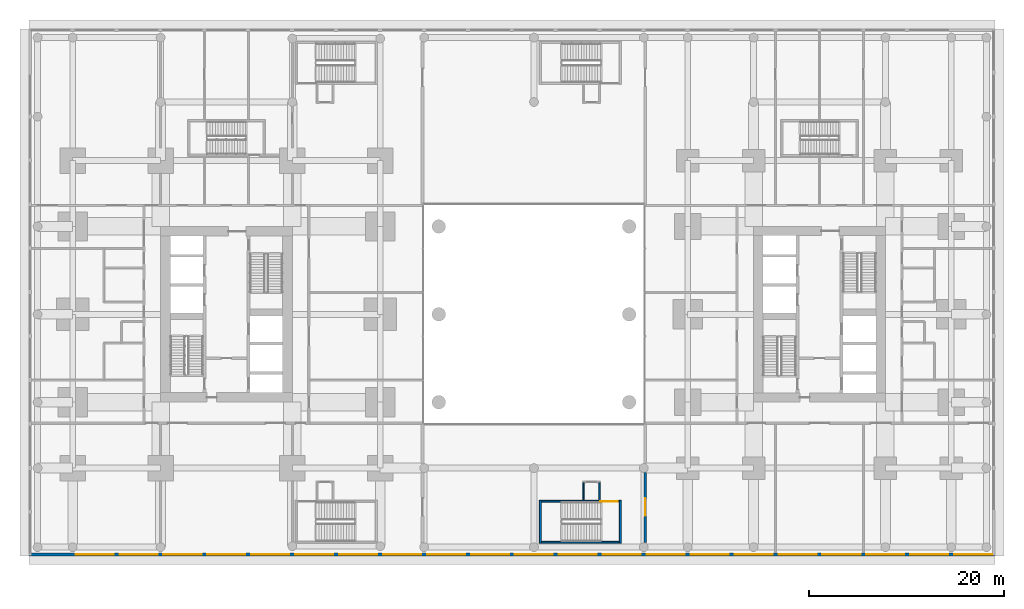
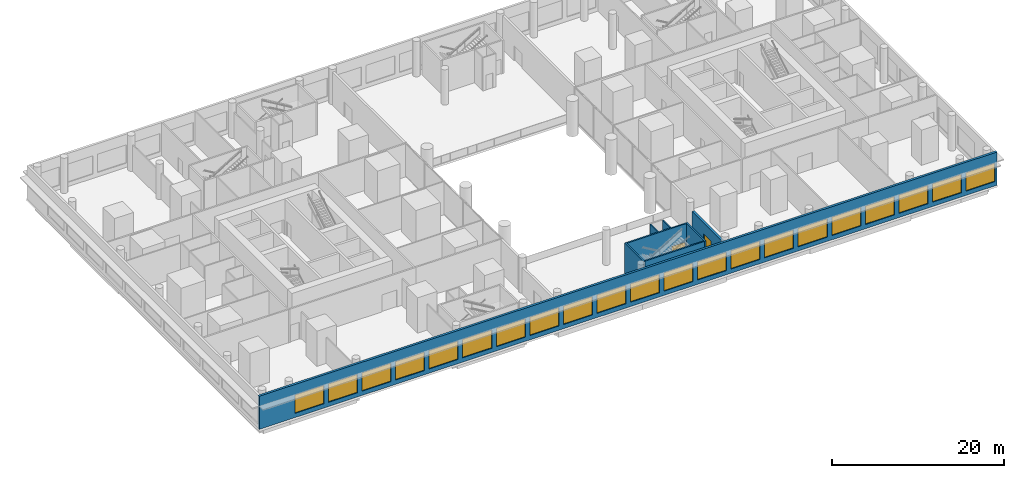
# One storey, part 11 of 21: 21 windows, 8 walls, 2 doors, 23 openings.
"""IFC4 building model written with IfcOpenShell, lengths in metres."""

from ifc_helpers import new_model, si_unit, direction, frame, frame_2d, origin, place, context, subcontext, project, spatial, rectangle, extrude, material, layer, layer_set, type_object, element, fill, save


model = new_model("IFC4")

# Units and contexts
model_context = context("Model", 3, precision=1e-05, world=origin(), true_north=direction((0.0, 1.0)))
body_context = subcontext(model_context, "Body", "Model", "MODEL_VIEW")
ifc_project = project(units=[si_unit("LENGTHUNIT", "METRE"), si_unit("AREAUNIT", "SQUARE_METRE"), si_unit("VOLUMEUNIT", "CUBIC_METRE"), si_unit("PLANEANGLEUNIT", "RADIAN"), si_unit("MASSUNIT", "GRAM", prefix="KILO")], contexts=[model_context])

# Site, building, storey
site_placement = place(None, origin())
site = spatial("IfcSite", under=ifc_project, at=site_placement, CompositionType="ELEMENT")
building_placement = place(site_placement, origin())
building = spatial("IfcBuilding", under=site, at=building_placement, Name="Namib Vertical Campus", CompositionType="ELEMENT")
storey_placement = place(building_placement, frame((0.0, 0.0, 6.0)))
storey = spatial("IfcBuildingStorey", under=building, at=storey_placement, Name="L01", CompositionType="ELEMENT", Elevation=6.0)

# Wall, openings, windows
ifc_material_1 = material(Name="Concrete C40/50", Category="concrete")
ifc_layer_1 = layer(ifc_material_1, 0.300048828125)
ifc_layer_set_1 = layer_set([ifc_layer_1], Name="Concrete C40/50")
wall_type_1 = type_object("IfcWallType", Name="External wall 300 board-marked concrete", PredefinedType="STANDARD", material=ifc_layer_set_1)
wall_1_placement = place(storey_placement, frame((0.02001953125, -4.35009765625, 0.0), z_axis=(0.0, 0.0, 1.0), x_axis=(1.0, 0.0, 0.0)))
wall_1 = element("IfcWall", 1, at=wall_1_placement, inside=storey, type_object=wall_type_1, Name="External wall L01 F1", PredefinedType="STANDARD", context=body_context, shape_type="SweptSolid", body=[
    extrude(rectangle(XDim=98.9599609375, YDim=0.300048828125, at=frame_2d((49.47998046875, 0.0))), origin(), (0.0, 0.0, 1.0), 4.699951171875),
])
opening_1_placement = place(wall_1_placement, frame((4.780029296875, 0.0, 0.60009765625)))
opening_1 = element("IfcOpeningElement", 2, at=opening_1_placement, cuts=wall_1, Name="Opening W2", PredefinedType="OPENING", context=body_context, shape_type="SweptSolid", body=[
    extrude(rectangle(XDim=3.89990234375, YDim=2.60009765625, at=frame_2d((1.949951171875, 1.300048828125))), frame((0.0, 0.159912109375, 0.0), z_axis=(0.0, -1.0, 0.0), x_axis=(1.0, 0.0, 0.0)), (0.0, 0.0, 1.0), 0.320068359375),
])
opening_2_placement = place(wall_1_placement, frame((9.280029296875, 0.0, 0.60009765625)))
opening_2 = element("IfcOpeningElement", 3, at=opening_2_placement, cuts=wall_1, Name="Opening W2", PredefinedType="OPENING", context=body_context, shape_type="SweptSolid", body=[
    extrude(rectangle(XDim=3.89990234375, YDim=2.60009765625, at=frame_2d((1.949951171875, 1.300048828125))), frame((0.0, 0.159912109375, 0.0), z_axis=(0.0, -1.0, 0.0), x_axis=(1.0, 0.0, 0.0)), (0.0, 0.0, 1.0), 0.320068359375),
])
opening_3_placement = place(wall_1_placement, frame((13.780029296875, 0.0, 0.60009765625)))
opening_3 = element("IfcOpeningElement", 4, at=opening_3_placement, cuts=wall_1, Name="Opening W2", PredefinedType="OPENING", context=body_context, shape_type="SweptSolid", body=[
    extrude(rectangle(XDim=3.89990234375, YDim=2.60009765625, at=frame_2d((1.949951171875, 1.300048828125))), frame((0.0, 0.159912109375, 0.0), z_axis=(0.0, -1.0, 0.0), x_axis=(1.0, 0.0, 0.0)), (0.0, 0.0, 1.0), 0.320068359375),
])
opening_4_placement = place(wall_1_placement, frame((18.280029296875, 0.0, 0.60009765625)))
opening_4 = element("IfcOpeningElement", 5, at=opening_4_placement, cuts=wall_1, Name="Opening W2", PredefinedType="OPENING", context=body_context, shape_type="SweptSolid", body=[
    extrude(rectangle(XDim=3.89990234375, YDim=2.60009765625, at=frame_2d((1.949951171875, 1.300048828125))), frame((0.0, 0.159912109375, 0.0), z_axis=(0.0, -1.0, 0.0), x_axis=(1.0, 0.0, 0.0)), (0.0, 0.0, 1.0), 0.320068359375),
])
opening_5_placement = place(wall_1_placement, frame((22.780029296875, 0.0, 0.60009765625)))
opening_5 = element("IfcOpeningElement", 6, at=opening_5_placement, cuts=wall_1, Name="Opening W2", PredefinedType="OPENING", context=body_context, shape_type="SweptSolid", body=[
    extrude(rectangle(XDim=3.89990234375, YDim=2.60009765625, at=frame_2d((1.949951171875, 1.300048828125))), frame((0.0, 0.159912109375, 0.0), z_axis=(0.0, -1.0, 0.0), x_axis=(1.0, 0.0, 0.0)), (0.0, 0.0, 1.0), 0.320068359375),
])
opening_6_placement = place(wall_1_placement, frame((27.280029296875, 0.0, 0.60009765625)))
opening_6 = element("IfcOpeningElement", 7, at=opening_6_placement, cuts=wall_1, Name="Opening W2", PredefinedType="OPENING", context=body_context, shape_type="SweptSolid", body=[
    extrude(rectangle(XDim=3.89990234375, YDim=2.60009765625, at=frame_2d((1.949951171875, 1.300048828125))), frame((0.0, 0.159912109375, 0.0), z_axis=(0.0, -1.0, 0.0), x_axis=(1.0, 0.0, 0.0)), (0.0, 0.0, 1.0), 0.320068359375),
])
opening_7_placement = place(wall_1_placement, frame((31.780029296875, 0.0, 0.60009765625)))
opening_7 = element("IfcOpeningElement", 8, at=opening_7_placement, cuts=wall_1, Name="Opening W2", PredefinedType="OPENING", context=body_context, shape_type="SweptSolid", body=[
    extrude(rectangle(XDim=3.89990234375, YDim=2.60009765625, at=frame_2d((1.949951171875, 1.300048828125))), frame((0.0, 0.159912109375, 0.0), z_axis=(0.0, -1.0, 0.0), x_axis=(1.0, 0.0, 0.0)), (0.0, 0.0, 1.0), 0.320068359375),
])
opening_8_placement = place(wall_1_placement, frame((36.280029296875, 0.0, 0.60009765625)))
opening_8 = element("IfcOpeningElement", 9, at=opening_8_placement, cuts=wall_1, Name="Opening W2", PredefinedType="OPENING", context=body_context, shape_type="SweptSolid", body=[
    extrude(rectangle(XDim=3.89990234375, YDim=2.60009765625, at=frame_2d((1.949951171875, 1.300048828125))), frame((0.0, 0.159912109375, 0.0), z_axis=(0.0, -1.0, 0.0), x_axis=(1.0, 0.0, 0.0)), (0.0, 0.0, 1.0), 0.320068359375),
])
opening_9_placement = place(wall_1_placement, frame((40.780029296875, 0.0, 0.60009765625)))
opening_9 = element("IfcOpeningElement", 10, at=opening_9_placement, cuts=wall_1, Name="Opening W2", PredefinedType="OPENING", context=body_context, shape_type="SweptSolid", body=[
    extrude(rectangle(XDim=3.89990234375, YDim=2.60009765625, at=frame_2d((1.949951171875, 1.300048828125))), frame((0.0, 0.159912109375, 0.0), z_axis=(0.0, -1.0, 0.0), x_axis=(1.0, 0.0, 0.0)), (0.0, 0.0, 1.0), 0.320068359375),
])
opening_10_placement = place(wall_1_placement, frame((45.280029296875, 0.0, 0.60009765625)))
opening_10 = element("IfcOpeningElement", 11, at=opening_10_placement, cuts=wall_1, Name="Opening W2", PredefinedType="OPENING", context=body_context, shape_type="SweptSolid", body=[
    extrude(rectangle(XDim=3.89990234375, YDim=2.60009765625, at=frame_2d((1.949951171875, 1.300048828125))), frame((0.0, 0.159912109375, 0.0), z_axis=(0.0, -1.0, 0.0), x_axis=(1.0, 0.0, 0.0)), (0.0, 0.0, 1.0), 0.320068359375),
])
opening_11_placement = place(wall_1_placement, frame((49.780029296875, 0.0, 0.60009765625)))
opening_11 = element("IfcOpeningElement", 12, at=opening_11_placement, cuts=wall_1, Name="Opening W2", PredefinedType="OPENING", context=body_context, shape_type="SweptSolid", body=[
    extrude(rectangle(XDim=3.89990234375, YDim=2.60009765625, at=frame_2d((1.949951171875, 1.300048828125))), frame((0.0, 0.159912109375, 0.0), z_axis=(0.0, -1.0, 0.0), x_axis=(1.0, 0.0, 0.0)), (0.0, 0.0, 1.0), 0.320068359375),
])
opening_12_placement = place(wall_1_placement, frame((54.280029296875, 0.0, 0.60009765625)))
opening_12 = element("IfcOpeningElement", 13, at=opening_12_placement, cuts=wall_1, Name="Opening W2", PredefinedType="OPENING", context=body_context, shape_type="SweptSolid", body=[
    extrude(rectangle(XDim=3.89990234375, YDim=2.60009765625, at=frame_2d((1.949951171875, 1.300048828125))), frame((0.0, 0.159912109375, 0.0), z_axis=(0.0, -1.0, 0.0), x_axis=(1.0, 0.0, 0.0)), (0.0, 0.0, 1.0), 0.320068359375),
])
opening_13_placement = place(wall_1_placement, frame((58.780029296875, 0.0, 0.60009765625)))
opening_13 = element("IfcOpeningElement", 14, at=opening_13_placement, cuts=wall_1, Name="Opening W2", PredefinedType="OPENING", context=body_context, shape_type="SweptSolid", body=[
    extrude(rectangle(XDim=3.89990234375, YDim=2.60009765625, at=frame_2d((1.949951171875, 1.300048828125))), frame((0.0, 0.159912109375, 0.0), z_axis=(0.0, -1.0, 0.0), x_axis=(1.0, 0.0, 0.0)), (0.0, 0.0, 1.0), 0.320068359375),
])
opening_14_placement = place(wall_1_placement, frame((63.280029296875, 0.0, 0.60009765625)))
opening_14 = element("IfcOpeningElement", 15, at=opening_14_placement, cuts=wall_1, Name="Opening W2", PredefinedType="OPENING", context=body_context, shape_type="SweptSolid", body=[
    extrude(rectangle(XDim=3.89990234375, YDim=2.60009765625, at=frame_2d((1.949951171875, 1.300048828125))), frame((0.0, 0.159912109375, 0.0), z_axis=(0.0, -1.0, 0.0), x_axis=(1.0, 0.0, 0.0)), (0.0, 0.0, 1.0), 0.320068359375),
])
opening_15_placement = place(wall_1_placement, frame((67.780029296875, 0.0, 0.60009765625)))
opening_15 = element("IfcOpeningElement", 16, at=opening_15_placement, cuts=wall_1, Name="Opening W2", PredefinedType="OPENING", context=body_context, shape_type="SweptSolid", body=[
    extrude(rectangle(XDim=3.89990234375, YDim=2.60009765625, at=frame_2d((1.949951171875, 1.300048828125))), frame((0.0, 0.159912109375, 0.0), z_axis=(0.0, -1.0, 0.0), x_axis=(1.0, 0.0, 0.0)), (0.0, 0.0, 1.0), 0.320068359375),
])
opening_16_placement = place(wall_1_placement, frame((72.280029296875, 0.0, 0.60009765625)))
opening_16 = element("IfcOpeningElement", 17, at=opening_16_placement, cuts=wall_1, Name="Opening W2", PredefinedType="OPENING", context=body_context, shape_type="SweptSolid", body=[
    extrude(rectangle(XDim=3.89990234375, YDim=2.60009765625, at=frame_2d((1.949951171875, 1.300048828125))), frame((0.0, 0.159912109375, 0.0), z_axis=(0.0, -1.0, 0.0), x_axis=(1.0, 0.0, 0.0)), (0.0, 0.0, 1.0), 0.320068359375),
])
opening_17_placement = place(wall_1_placement, frame((76.780029296875, 0.0, 0.60009765625)))
opening_17 = element("IfcOpeningElement", 18, at=opening_17_placement, cuts=wall_1, Name="Opening W2", PredefinedType="OPENING", context=body_context, shape_type="SweptSolid", body=[
    extrude(rectangle(XDim=3.89990234375, YDim=2.60009765625, at=frame_2d((1.949951171875, 1.300048828125))), frame((0.0, 0.159912109375, 0.0), z_axis=(0.0, -1.0, 0.0), x_axis=(1.0, 0.0, 0.0)), (0.0, 0.0, 1.0), 0.320068359375),
])
opening_18_placement = place(wall_1_placement, frame((81.280029296875, 0.0, 0.60009765625)))
opening_18 = element("IfcOpeningElement", 19, at=opening_18_placement, cuts=wall_1, Name="Opening W2", PredefinedType="OPENING", context=body_context, shape_type="SweptSolid", body=[
    extrude(rectangle(XDim=3.89990234375, YDim=2.60009765625, at=frame_2d((1.949951171875, 1.300048828125))), frame((0.0, 0.159912109375, 0.0), z_axis=(0.0, -1.0, 0.0), x_axis=(1.0, 0.0, 0.0)), (0.0, 0.0, 1.0), 0.320068359375),
])
opening_19_placement = place(wall_1_placement, frame((85.780029296875, 0.0, 0.60009765625)))
opening_19 = element("IfcOpeningElement", 20, at=opening_19_placement, cuts=wall_1, Name="Opening W2", PredefinedType="OPENING", context=body_context, shape_type="SweptSolid", body=[
    extrude(rectangle(XDim=3.89990234375, YDim=2.60009765625, at=frame_2d((1.949951171875, 1.300048828125))), frame((0.0, 0.159912109375, 0.0), z_axis=(0.0, -1.0, 0.0), x_axis=(1.0, 0.0, 0.0)), (0.0, 0.0, 1.0), 0.320068359375),
])
opening_20_placement = place(wall_1_placement, frame((90.280029296875, 0.0, 0.60009765625)))
opening_20 = element("IfcOpeningElement", 21, at=opening_20_placement, cuts=wall_1, Name="Opening W2", PredefinedType="OPENING", context=body_context, shape_type="SweptSolid", body=[
    extrude(rectangle(XDim=3.89990234375, YDim=2.60009765625, at=frame_2d((1.949951171875, 1.300048828125))), frame((0.0, 0.159912109375, 0.0), z_axis=(0.0, -1.0, 0.0), x_axis=(1.0, 0.0, 0.0)), (0.0, 0.0, 1.0), 0.320068359375),
])
opening_21_placement = place(wall_1_placement, frame((94.780029296875, 0.0, 0.60009765625)))
opening_21 = element("IfcOpeningElement", 22, at=opening_21_placement, cuts=wall_1, Name="Opening W2", PredefinedType="OPENING", context=body_context, shape_type="SweptSolid", body=[
    extrude(rectangle(XDim=3.89990234375, YDim=2.60009765625, at=frame_2d((1.949951171875, 1.300048828125))), frame((0.0, 0.159912109375, 0.0), z_axis=(0.0, -1.0, 0.0), x_axis=(1.0, 0.0, 0.0)), (0.0, 0.0, 1.0), 0.320068359375),
])
ifc_material_2 = material(Name="Dark tinted glass in black aluminium frame", Category="aluminium")
window_type = type_object("IfcWindowType", Name="Ribbon window 3900x2600", PartitioningType="SINGLE_PANEL", PredefinedType="WINDOW", material=ifc_material_2)
window_1_placement = place(opening_1_placement, origin())
window_1 = element("IfcWindow", 23, at=window_1_placement, inside=storey, type_object=window_type, Name="Window W2 L01 F1-2", OverallHeight=2.60009765625, OverallWidth=3.89990234375, PartitioningType="SINGLE_PANEL", PredefinedType="WINDOW", context=body_context, shape_type="SweptSolid", body=[
    extrude(rectangle(XDim=3.89990234375, YDim=2.60009765625, at=frame_2d((1.949951171875, 1.300048828125))), frame((0.0, 0.030029296875, 0.0), z_axis=(0.0, -1.0, 0.0), x_axis=(1.0, 0.0, 0.0)), (0.0, 0.0, 1.0), 0.06005859375),
])
fill(opening_1, window_1)
window_2_placement = place(opening_2_placement, origin())
window_2 = element("IfcWindow", 24, at=window_2_placement, inside=storey, type_object=window_type, Name="Window W2 L01 F1-3", OverallHeight=2.60009765625, OverallWidth=3.89990234375, PartitioningType="SINGLE_PANEL", PredefinedType="WINDOW", context=body_context, shape_type="SweptSolid", body=[
    extrude(rectangle(XDim=3.89990234375, YDim=2.60009765625, at=frame_2d((1.949951171875, 1.300048828125))), frame((0.0, 0.030029296875, 0.0), z_axis=(0.0, -1.0, 0.0), x_axis=(1.0, 0.0, 0.0)), (0.0, 0.0, 1.0), 0.06005859375),
])
fill(opening_2, window_2)
window_3_placement = place(opening_3_placement, origin())
window_3 = element("IfcWindow", 25, at=window_3_placement, inside=storey, type_object=window_type, Name="Window W2 L01 F1-4", OverallHeight=2.60009765625, OverallWidth=3.89990234375, PartitioningType="SINGLE_PANEL", PredefinedType="WINDOW", context=body_context, shape_type="SweptSolid", body=[
    extrude(rectangle(XDim=3.89990234375, YDim=2.60009765625, at=frame_2d((1.949951171875, 1.300048828125))), frame((0.0, 0.030029296875, 0.0), z_axis=(0.0, -1.0, 0.0), x_axis=(1.0, 0.0, 0.0)), (0.0, 0.0, 1.0), 0.06005859375),
])
fill(opening_3, window_3)
window_4_placement = place(opening_4_placement, origin())
window_4 = element("IfcWindow", 26, at=window_4_placement, inside=storey, type_object=window_type, Name="Window W2 L01 F1-5", OverallHeight=2.60009765625, OverallWidth=3.89990234375, PartitioningType="SINGLE_PANEL", PredefinedType="WINDOW", context=body_context, shape_type="SweptSolid", body=[
    extrude(rectangle(XDim=3.89990234375, YDim=2.60009765625, at=frame_2d((1.949951171875, 1.300048828125))), frame((0.0, 0.030029296875, 0.0), z_axis=(0.0, -1.0, 0.0), x_axis=(1.0, 0.0, 0.0)), (0.0, 0.0, 1.0), 0.06005859375),
])
fill(opening_4, window_4)
window_5_placement = place(opening_5_placement, origin())
window_5 = element("IfcWindow", 27, at=window_5_placement, inside=storey, type_object=window_type, Name="Window W2 L01 F1-6", OverallHeight=2.60009765625, OverallWidth=3.89990234375, PartitioningType="SINGLE_PANEL", PredefinedType="WINDOW", context=body_context, shape_type="SweptSolid", body=[
    extrude(rectangle(XDim=3.89990234375, YDim=2.60009765625, at=frame_2d((1.949951171875, 1.300048828125))), frame((0.0, 0.030029296875, 0.0), z_axis=(0.0, -1.0, 0.0), x_axis=(1.0, 0.0, 0.0)), (0.0, 0.0, 1.0), 0.06005859375),
])
fill(opening_5, window_5)
window_6_placement = place(opening_6_placement, origin())
window_6 = element("IfcWindow", 28, at=window_6_placement, inside=storey, type_object=window_type, Name="Window W2 L01 F1-7", OverallHeight=2.60009765625, OverallWidth=3.89990234375, PartitioningType="SINGLE_PANEL", PredefinedType="WINDOW", context=body_context, shape_type="SweptSolid", body=[
    extrude(rectangle(XDim=3.89990234375, YDim=2.60009765625, at=frame_2d((1.949951171875, 1.300048828125))), frame((0.0, 0.030029296875, 0.0), z_axis=(0.0, -1.0, 0.0), x_axis=(1.0, 0.0, 0.0)), (0.0, 0.0, 1.0), 0.06005859375),
])
fill(opening_6, window_6)
window_7_placement = place(opening_7_placement, origin())
window_7 = element("IfcWindow", 29, at=window_7_placement, inside=storey, type_object=window_type, Name="Window W2 L01 F1-8", OverallHeight=2.60009765625, OverallWidth=3.89990234375, PartitioningType="SINGLE_PANEL", PredefinedType="WINDOW", context=body_context, shape_type="SweptSolid", body=[
    extrude(rectangle(XDim=3.89990234375, YDim=2.60009765625, at=frame_2d((1.949951171875, 1.300048828125))), frame((0.0, 0.030029296875, 0.0), z_axis=(0.0, -1.0, 0.0), x_axis=(1.0, 0.0, 0.0)), (0.0, 0.0, 1.0), 0.06005859375),
])
fill(opening_7, window_7)
window_8_placement = place(opening_8_placement, origin())
window_8 = element("IfcWindow", 30, at=window_8_placement, inside=storey, type_object=window_type, Name="Window W2 L01 F1-9", OverallHeight=2.60009765625, OverallWidth=3.89990234375, PartitioningType="SINGLE_PANEL", PredefinedType="WINDOW", context=body_context, shape_type="SweptSolid", body=[
    extrude(rectangle(XDim=3.89990234375, YDim=2.60009765625, at=frame_2d((1.949951171875, 1.300048828125))), frame((0.0, 0.030029296875, 0.0), z_axis=(0.0, -1.0, 0.0), x_axis=(1.0, 0.0, 0.0)), (0.0, 0.0, 1.0), 0.06005859375),
])
fill(opening_8, window_8)
window_9_placement = place(opening_9_placement, origin())
window_9 = element("IfcWindow", 31, at=window_9_placement, inside=storey, type_object=window_type, Name="Window W2 L01 F1-10", OverallHeight=2.60009765625, OverallWidth=3.89990234375, PartitioningType="SINGLE_PANEL", PredefinedType="WINDOW", context=body_context, shape_type="SweptSolid", body=[
    extrude(rectangle(XDim=3.89990234375, YDim=2.60009765625, at=frame_2d((1.949951171875, 1.300048828125))), frame((0.0, 0.030029296875, 0.0), z_axis=(0.0, -1.0, 0.0), x_axis=(1.0, 0.0, 0.0)), (0.0, 0.0, 1.0), 0.06005859375),
])
fill(opening_9, window_9)
window_10_placement = place(opening_10_placement, origin())
window_10 = element("IfcWindow", 32, at=window_10_placement, inside=storey, type_object=window_type, Name="Window W2 L01 F1-11", OverallHeight=2.60009765625, OverallWidth=3.89990234375, PartitioningType="SINGLE_PANEL", PredefinedType="WINDOW", context=body_context, shape_type="SweptSolid", body=[
    extrude(rectangle(XDim=3.89990234375, YDim=2.60009765625, at=frame_2d((1.949951171875, 1.300048828125))), frame((0.0, 0.030029296875, 0.0), z_axis=(0.0, -1.0, 0.0), x_axis=(1.0, 0.0, 0.0)), (0.0, 0.0, 1.0), 0.06005859375),
])
fill(opening_10, window_10)
window_11_placement = place(opening_11_placement, origin())
window_11 = element("IfcWindow", 33, at=window_11_placement, inside=storey, type_object=window_type, Name="Window W2 L01 F1-12", OverallHeight=2.60009765625, OverallWidth=3.89990234375, PartitioningType="SINGLE_PANEL", PredefinedType="WINDOW", context=body_context, shape_type="SweptSolid", body=[
    extrude(rectangle(XDim=3.89990234375, YDim=2.60009765625, at=frame_2d((1.949951171875, 1.300048828125))), frame((0.0, 0.030029296875, 0.0), z_axis=(0.0, -1.0, 0.0), x_axis=(1.0, 0.0, 0.0)), (0.0, 0.0, 1.0), 0.06005859375),
])
fill(opening_11, window_11)
window_12_placement = place(opening_12_placement, origin())
window_12 = element("IfcWindow", 34, at=window_12_placement, inside=storey, type_object=window_type, Name="Window W2 L01 F1-13", OverallHeight=2.60009765625, OverallWidth=3.89990234375, PartitioningType="SINGLE_PANEL", PredefinedType="WINDOW", context=body_context, shape_type="SweptSolid", body=[
    extrude(rectangle(XDim=3.89990234375, YDim=2.60009765625, at=frame_2d((1.949951171875, 1.300048828125))), frame((0.0, 0.030029296875, 0.0), z_axis=(0.0, -1.0, 0.0), x_axis=(1.0, 0.0, 0.0)), (0.0, 0.0, 1.0), 0.06005859375),
])
fill(opening_12, window_12)
window_13_placement = place(opening_13_placement, origin())
window_13 = element("IfcWindow", 35, at=window_13_placement, inside=storey, type_object=window_type, Name="Window W2 L01 F1-14", OverallHeight=2.60009765625, OverallWidth=3.89990234375, PartitioningType="SINGLE_PANEL", PredefinedType="WINDOW", context=body_context, shape_type="SweptSolid", body=[
    extrude(rectangle(XDim=3.89990234375, YDim=2.60009765625, at=frame_2d((1.949951171875, 1.300048828125))), frame((0.0, 0.030029296875, 0.0), z_axis=(0.0, -1.0, 0.0), x_axis=(1.0, 0.0, 0.0)), (0.0, 0.0, 1.0), 0.06005859375),
])
fill(opening_13, window_13)
window_14_placement = place(opening_14_placement, origin())
window_14 = element("IfcWindow", 36, at=window_14_placement, inside=storey, type_object=window_type, Name="Window W2 L01 F1-15", OverallHeight=2.60009765625, OverallWidth=3.89990234375, PartitioningType="SINGLE_PANEL", PredefinedType="WINDOW", context=body_context, shape_type="SweptSolid", body=[
    extrude(rectangle(XDim=3.89990234375, YDim=2.60009765625, at=frame_2d((1.949951171875, 1.300048828125))), frame((0.0, 0.030029296875, 0.0), z_axis=(0.0, -1.0, 0.0), x_axis=(1.0, 0.0, 0.0)), (0.0, 0.0, 1.0), 0.06005859375),
])
fill(opening_14, window_14)
window_15_placement = place(opening_15_placement, origin())
window_15 = element("IfcWindow", 37, at=window_15_placement, inside=storey, type_object=window_type, Name="Window W2 L01 F1-16", OverallHeight=2.60009765625, OverallWidth=3.89990234375, PartitioningType="SINGLE_PANEL", PredefinedType="WINDOW", context=body_context, shape_type="SweptSolid", body=[
    extrude(rectangle(XDim=3.89990234375, YDim=2.60009765625, at=frame_2d((1.949951171875, 1.300048828125))), frame((0.0, 0.030029296875, 0.0), z_axis=(0.0, -1.0, 0.0), x_axis=(1.0, 0.0, 0.0)), (0.0, 0.0, 1.0), 0.06005859375),
])
fill(opening_15, window_15)
window_16_placement = place(opening_16_placement, origin())
window_16 = element("IfcWindow", 38, at=window_16_placement, inside=storey, type_object=window_type, Name="Window W2 L01 F1-17", OverallHeight=2.60009765625, OverallWidth=3.89990234375, PartitioningType="SINGLE_PANEL", PredefinedType="WINDOW", context=body_context, shape_type="SweptSolid", body=[
    extrude(rectangle(XDim=3.89990234375, YDim=2.60009765625, at=frame_2d((1.949951171875, 1.300048828125))), frame((0.0, 0.030029296875, 0.0), z_axis=(0.0, -1.0, 0.0), x_axis=(1.0, 0.0, 0.0)), (0.0, 0.0, 1.0), 0.06005859375),
])
fill(opening_16, window_16)
window_17_placement = place(opening_17_placement, origin())
window_17 = element("IfcWindow", 39, at=window_17_placement, inside=storey, type_object=window_type, Name="Window W2 L01 F1-18", OverallHeight=2.60009765625, OverallWidth=3.89990234375, PartitioningType="SINGLE_PANEL", PredefinedType="WINDOW", context=body_context, shape_type="SweptSolid", body=[
    extrude(rectangle(XDim=3.89990234375, YDim=2.60009765625, at=frame_2d((1.949951171875, 1.300048828125))), frame((0.0, 0.030029296875, 0.0), z_axis=(0.0, -1.0, 0.0), x_axis=(1.0, 0.0, 0.0)), (0.0, 0.0, 1.0), 0.06005859375),
])
fill(opening_17, window_17)
window_18_placement = place(opening_18_placement, origin())
window_18 = element("IfcWindow", 40, at=window_18_placement, inside=storey, type_object=window_type, Name="Window W2 L01 F1-19", OverallHeight=2.60009765625, OverallWidth=3.89990234375, PartitioningType="SINGLE_PANEL", PredefinedType="WINDOW", context=body_context, shape_type="SweptSolid", body=[
    extrude(rectangle(XDim=3.89990234375, YDim=2.60009765625, at=frame_2d((1.949951171875, 1.300048828125))), frame((0.0, 0.030029296875, 0.0), z_axis=(0.0, -1.0, 0.0), x_axis=(1.0, 0.0, 0.0)), (0.0, 0.0, 1.0), 0.06005859375),
])
fill(opening_18, window_18)
window_19_placement = place(opening_19_placement, origin())
window_19 = element("IfcWindow", 41, at=window_19_placement, inside=storey, type_object=window_type, Name="Window W2 L01 F1-20", OverallHeight=2.60009765625, OverallWidth=3.89990234375, PartitioningType="SINGLE_PANEL", PredefinedType="WINDOW", context=body_context, shape_type="SweptSolid", body=[
    extrude(rectangle(XDim=3.89990234375, YDim=2.60009765625, at=frame_2d((1.949951171875, 1.300048828125))), frame((0.0, 0.030029296875, 0.0), z_axis=(0.0, -1.0, 0.0), x_axis=(1.0, 0.0, 0.0)), (0.0, 0.0, 1.0), 0.06005859375),
])
fill(opening_19, window_19)
window_20_placement = place(opening_20_placement, origin())
window_20 = element("IfcWindow", 42, at=window_20_placement, inside=storey, type_object=window_type, Name="Window W2 L01 F1-21", OverallHeight=2.60009765625, OverallWidth=3.89990234375, PartitioningType="SINGLE_PANEL", PredefinedType="WINDOW", context=body_context, shape_type="SweptSolid", body=[
    extrude(rectangle(XDim=3.89990234375, YDim=2.60009765625, at=frame_2d((1.949951171875, 1.300048828125))), frame((0.0, 0.030029296875, 0.0), z_axis=(0.0, -1.0, 0.0), x_axis=(1.0, 0.0, 0.0)), (0.0, 0.0, 1.0), 0.06005859375),
])
fill(opening_20, window_20)
window_21_placement = place(opening_21_placement, origin())
window_21 = element("IfcWindow", 43, at=window_21_placement, inside=storey, type_object=window_type, Name="Window W2 L01 F1-22", OverallHeight=2.60009765625, OverallWidth=3.89990234375, PartitioningType="SINGLE_PANEL", PredefinedType="WINDOW", context=body_context, shape_type="SweptSolid", body=[
    extrude(rectangle(XDim=3.89990234375, YDim=2.60009765625, at=frame_2d((1.949951171875, 1.300048828125))), frame((0.0, 0.030029296875, 0.0), z_axis=(0.0, -1.0, 0.0), x_axis=(1.0, 0.0, 0.0)), (0.0, 0.0, 1.0), 0.06005859375),
])
fill(opening_21, window_21)

# Wall, opening, door
ifc_material_3 = material(Name="Concrete masonry", Category="masonry")
ifc_layer_2 = layer(ifc_material_3, 0.300048828125)
ifc_layer_set_2 = layer_set([ifc_layer_2], Name="Fire wall 300")
wall_type_2 = type_object("IfcWallType", Name="Fire wall 300", PredefinedType="SOLIDWALL", material=ifc_layer_set_2)
wall_2_placement = place(storey_placement, frame((63.14990234375, -3.1298828125, 0.0), z_axis=(0.0, 0.0, 1.0), x_axis=(0.0, 1.0, 0.0)))
wall_2 = element("IfcWall", 44, at=wall_2_placement, inside=storey, type_object=wall_type_2, Name="Fire wall B L01", PredefinedType="SOLIDWALL", context=body_context, shape_type="SweptSolid", body=[
    extrude(rectangle(XDim=7.159912109375, YDim=0.300048828125, at=frame_2d((3.580078125, 0.0))), origin(), (0.0, 0.0, 1.0), 3.699951171875),
])
opening_22_placement = place(wall_2_placement, frame((2.72998046875, 0.0, 0.0)))
opening_22 = element("IfcOpeningElement", 45, at=opening_22_placement, cuts=wall_2, Name="Opening FD2", PredefinedType="OPENING", context=body_context, shape_type="SweptSolid", body=[
    extrude(rectangle(XDim=1.800048828125, YDim=2.10009765625, at=frame_2d((0.89990234375, 1.050048828125))), frame((0.0, 0.159912109375, 0.0), z_axis=(0.0, -1.0, 0.0), x_axis=(1.0, 0.0, 0.0)), (0.0, 0.0, 1.0), 0.320068359375),
])
ifc_material_4 = material(Name="Steel fire door", Category="steel")
door_type = type_object("IfcDoorType", Name="Fire door double 1800x2100", OperationType="DOUBLE_DOOR_SINGLE_SWING", PredefinedType="DOOR", material=ifc_material_4)
door_1_placement = place(opening_22_placement, origin())
door_1 = element("IfcDoor", 46, at=door_1_placement, inside=storey, type_object=door_type, Name="Door FD2 middle B L01 1", OperationType="DOUBLE_DOOR_SINGLE_SWING", OverallHeight=2.10009765625, OverallWidth=1.800048828125, PredefinedType="DOOR", context=body_context, shape_type="SweptSolid", body=[
    extrude(rectangle(XDim=1.800048828125, YDim=2.10009765625, at=frame_2d((0.89990234375, 1.050048828125))), frame((0.0, 0.02490234375, 0.0), z_axis=(0.0, -1.0, 0.0), x_axis=(1.0, 0.0, 0.0)), (0.0, 0.0, 1.0), 0.050048828125),
])
fill(opening_22, door_1)

# Walls
ifc_material_5 = material(Name="Gypsum board on steel studs", Category="steel")
ifc_layer_3 = layer(ifc_material_5, 0.14990234375)
ifc_layer_set_3 = layer_set([ifc_layer_3], Name="Gypsum board on steel studs")
wall_type_3 = type_object("IfcWallType", Name="Partition 150", PredefinedType="PARTITIONING", material=ifc_layer_set_3)
for number, where, z_axis, x_axis, name in (
    (47, (58.47509765625, 1.199951171875, 0.0), (0.0, 0.0, 1.0), (0.0, 1.0, 0.0), "Refuge cell partition P-S4 L01"),
    (48, (56.824951171875, 1.199951171875, 0.0), (0.0, 0.0, 1.0), (0.0, 1.0, 0.0), "Refuge cell partition P-S4 L01"),
):
    element("IfcWall", number, at=place(storey_placement, frame(where, z_axis=z_axis, x_axis=x_axis)), inside=storey, type_object=wall_type_3, Name=name, PredefinedType="PARTITIONING", context=body_context, shape_type="SweptSolid", body=[
        extrude(rectangle(XDim=1.800048828125, YDim=0.14990234375, at=frame_2d((0.89990234375, 0.0))), origin(), (0.0, 0.0, 1.0), 4.699951171875),
    ])

# Wall, opening, door
ifc_material_6 = material(Name="Concrete C40/50", Category="concrete")
ifc_layer_4 = layer(ifc_material_6, 0.199951171875)
ifc_layer_set_4 = layer_set([ifc_layer_4], Name="Concrete C40/50")
wall_type_4 = type_object("IfcWallType", Name="Stair enclosure wall RC 200", PredefinedType="SOLIDWALL", material=ifc_layer_set_4)
wall_3_placement = place(storey_placement, frame((52.5, 1.10009765625, 0.0), z_axis=(0.0, 0.0, 1.0), x_axis=(1.0, 0.0, 0.0)))
wall_3 = element("IfcWall", 49, at=wall_3_placement, inside=storey, type_object=wall_type_4, Name="Stair enclosure wall P-S4 L01 room side", PredefinedType="SOLIDWALL", context=body_context, shape_type="SweptSolid", body=[
    extrude(rectangle(XDim=8.0, YDim=0.199951171875, at=frame_2d((4.0, 0.0))), origin(), (0.0, 0.0, 1.0), 4.699951171875),
])
opening_23_placement = place(wall_3_placement, frame((6.050048828125, 0.0, 0.0)))
opening_23 = element("IfcOpeningElement", 50, at=opening_23_placement, cuts=wall_3, Name="Opening FD2", PredefinedType="OPENING", context=body_context, shape_type="SweptSolid", body=[
    extrude(rectangle(XDim=1.800048828125, YDim=2.10009765625, at=frame_2d((0.89990234375, 1.050048828125))), frame((0.0, 0.10986328125, 0.0), z_axis=(0.0, -1.0, 0.0), x_axis=(1.0, 0.0, 0.0)), (0.0, 0.0, 1.0), 0.219970703125),
])
door_2_placement = place(opening_23_placement, frame((1.800048828125, 0.0, 0.0), z_axis=(0.0, 0.0, 1.0), x_axis=(-1.0, 0.0, 0.0)))
door_2 = element("IfcDoor", 51, at=door_2_placement, inside=storey, type_object=door_type, Name="Stair door FD2 P-S4 L01", OperationType="DOUBLE_DOOR_SINGLE_SWING", OverallHeight=2.10009765625, OverallWidth=1.800048828125, PredefinedType="DOOR", context=body_context, shape_type="SweptSolid", body=[
    extrude(rectangle(XDim=1.800048828125, YDim=2.10009765625, at=frame_2d((0.89990234375, 1.050048828125))), frame((0.0, 0.02490234375, 0.0), z_axis=(0.0, -1.0, 0.0), x_axis=(1.0, 0.0, 0.0)), (0.0, 0.0, 1.0), 0.050048828125),
])
fill(opening_23, door_2)

# Walls
wall_4_placement = place(storey_placement, frame((52.5, -3.10009765625, 0.0), z_axis=(0.0, 0.0, 1.0), x_axis=(1.0, 0.0, 0.0)))
element("IfcWall", 52, at=wall_4_placement, inside=storey, type_object=wall_type_4, Name="Stair enclosure wall P-S4 L01 facade side", PredefinedType="SOLIDWALL", context=body_context, shape_type="SweptSolid", body=[
    extrude(rectangle(XDim=8.0, YDim=0.199951171875, at=frame_2d((4.0, 0.0))), origin(), (0.0, 0.0, 1.0), 4.699951171875),
])
for number, where, z_axis, x_axis, name in (
    (53, (52.39990234375, -3.199951171875, 0.0), (0.0, 0.0, 1.0), (0.0, 1.0, 0.0), "Stair enclosure wall P-S4 L01 W"),
    (54, (60.60009765625, -3.199951171875, 0.0), (0.0, 0.0, 1.0), (0.0, 1.0, 0.0), "Stair enclosure wall P-S4 L01 E"),
):
    element("IfcWall", number, at=place(storey_placement, frame(where, z_axis=z_axis, x_axis=x_axis)), inside=storey, type_object=wall_type_4, Name=name, PredefinedType="SOLIDWALL", context=body_context, shape_type="SweptSolid", body=[
        extrude(rectangle(XDim=4.39990234375, YDim=0.199951171875, at=frame_2d((2.199951171875, 0.0))), origin(), (0.0, 0.0, 1.0), 4.699951171875),
    ])

save(model, "model.ifc")
